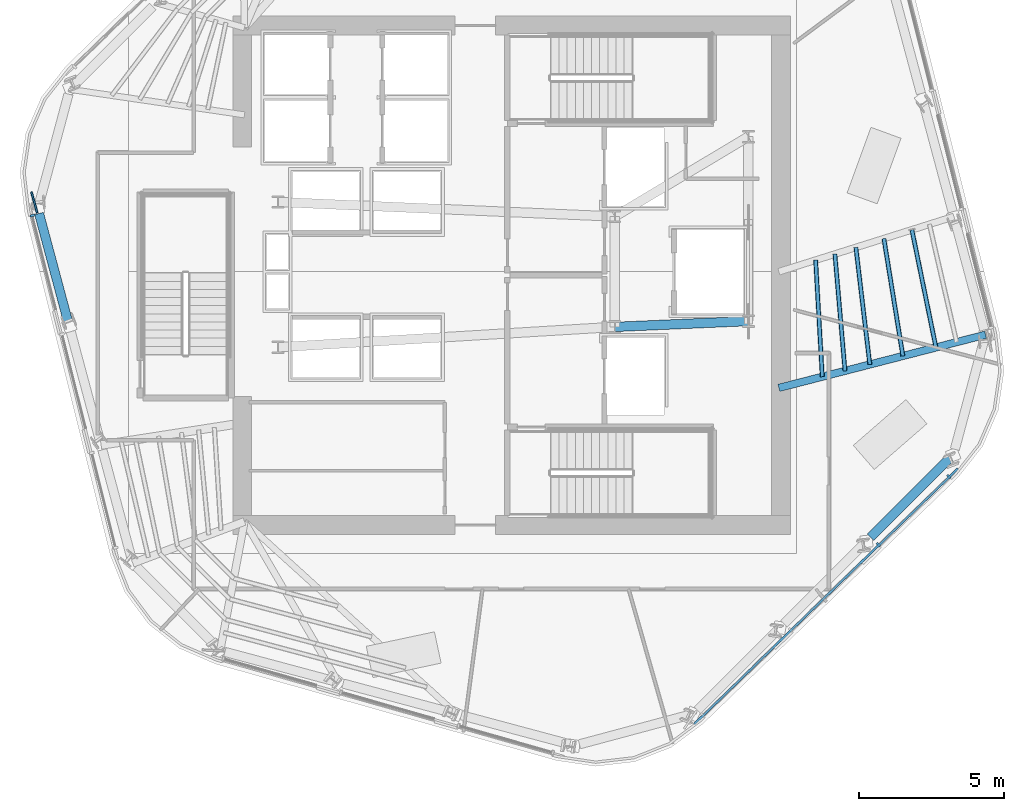
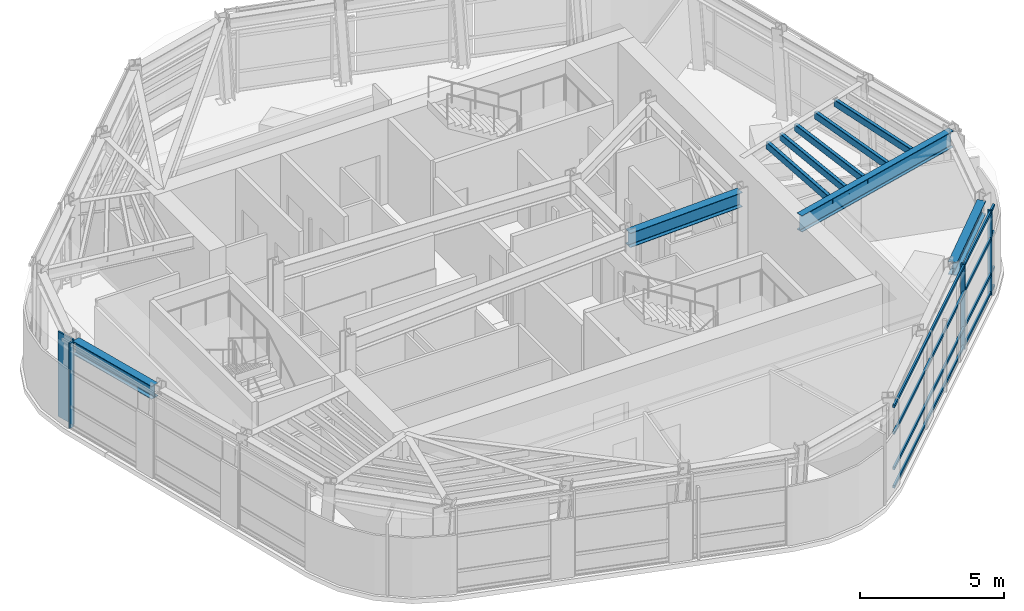
# One storey, part 3 of 14: 13 members, 4 beams, 2 elements without a shape of their own.
"""IFC4 building model written with IfcOpenShell, lengths in metres."""

from ifc_helpers import new_model, si_unit, direction, frame, origin, origin_2d, place, context, subcontext, project, spatial, rectangle, hollow_rectangle, i_section, extrude, material, layer, layer_set, material_profile, profile_set, type_object, element, aggregate, save


model = new_model("IFC4")

# Units and contexts
model_context = context("Model", 3, precision=1e-05, world=origin(), true_north=direction((0.0, 1.0)))
body_context = subcontext(model_context, "Body", "Model", "MODEL_VIEW")
ifc_project = project(units=[si_unit("LENGTHUNIT", "METRE"), si_unit("AREAUNIT", "SQUARE_METRE"), si_unit("VOLUMEUNIT", "CUBIC_METRE"), si_unit("PLANEANGLEUNIT", "RADIAN"), si_unit("MASSUNIT", "GRAM", prefix="KILO")], contexts=[model_context])

# Site, building, storey
site_placement = place(None, origin())
site = spatial("IfcSite", under=ifc_project, at=site_placement, CompositionType="ELEMENT")
building_placement = place(site_placement, origin())
building = spatial("IfcBuilding", under=site, at=building_placement, Name="Valkerne Bourse Tower", CompositionType="ELEMENT")
storey_placement = place(building_placement, frame((0.0, 0.0, 213.199951171875)))
storey = spatial("IfcBuildingStorey", under=building, at=storey_placement, Name="L54", CompositionType="ELEMENT", Elevation=213.199951171875)

# Beams
ifc_material_1 = material(Name="Steel ASTM A992", Category="steel")
ifc_material_profile_1 = material_profile(ifc_material_1, i_section(OverallWidth=0.31494140625, OverallDepth=0.5537109375, WebThickness=0.0166015625, FlangeThickness=0.026123046875, FilletRadius=0.020263671875, at=origin_2d()), Name="W21X132")
ifc_profile_set_1 = profile_set([ifc_material_profile_1], Name="Steel ASTM A992")
beam_type_1 = type_object("IfcBeamType", Name="BM-W21X132", PredefinedType="BEAM", material=ifc_profile_set_1)
beam_1_placement = place(storey_placement, frame((30.52783203125, 29.0048828125, 3.3232421875), z_axis=(0.258820125859, -0.965925536701, 0.0), x_axis=(0.965925536701, 0.258820125859, 0.0)))
element("IfcBeam", 1, at=beam_1_placement, inside=storey, type_object=beam_type_1, Name="L54 Hexagonal Spandrel Ring Beam 08", PredefinedType="BEAM", context=body_context, shape_type="SweptSolid", body=[
    extrude(i_section(OverallWidth=0.31494140625, OverallDepth=0.5537109375, WebThickness=0.0166015625, FlangeThickness=0.026123046875, FilletRadius=0.020263671875, at=origin_2d()), origin(), (0.0, 0.0, 1.0), 3.8720703125),
])
beam_2_placement = place(storey_placement, frame((59.156494140625, 17.8623046875, 3.3232421875), z_axis=(0.707106781187, 0.707106781187, 0.0), x_axis=(-0.707106781187, 0.707106781187, 0.0)))
element("IfcBeam", 2, at=beam_2_placement, inside=storey, type_object=beam_type_1, Name="L54 Hexagonal Spandrel Ring Beam 18", PredefinedType="BEAM", context=body_context, shape_type="SweptSolid", body=[
    extrude(i_section(OverallWidth=0.31494140625, OverallDepth=0.5537109375, WebThickness=0.0166015625, FlangeThickness=0.026123046875, FilletRadius=0.020263671875, at=origin_2d()), origin(), (0.0, 0.0, 1.0), 3.871826171875),
])
ifc_material_profile_2 = material_profile(ifc_material_1, i_section(OverallWidth=0.3251953125, OverallDepth=0.612060546875, WebThickness=0.0126953125, FlangeThickness=0.01904296875, FilletRadius=0.020263671875, at=origin_2d()), Name="W24X104")
ifc_profile_set_2 = profile_set([ifc_material_profile_2], Name="Steel ASTM A992")
beam_type_2 = type_object("IfcBeamType", Name="BM-W24X104", PredefinedType="BEAM", material=ifc_profile_set_2)
beam_3_placement = place(storey_placement, frame((50.35009765625, 25.10009765625, 3.2939453125), z_axis=(0.999056558506, 0.043428019819, 0.0), x_axis=(-0.043428019819, 0.999056558506, 0.0)))
element("IfcBeam", 3, at=beam_3_placement, inside=storey, type_object=beam_type_2, Name="L54 Core Frame Girder CG-SE", PredefinedType="BEAM", context=body_context, shape_type="SweptSolid", body=[
    extrude(i_section(OverallWidth=0.3251953125, OverallDepth=0.612060546875, WebThickness=0.0126953125, FlangeThickness=0.01904296875, FilletRadius=0.020263671875, at=origin_2d()), origin(), (0.0, 0.0, 1.0), 4.604248046875),
])
ifc_material_profile_3 = material_profile(ifc_material_1, i_section(OverallWidth=0.255859375, OverallDepth=0.693359375, WebThickness=0.014404296875, FlangeThickness=0.023681640625, FilletRadius=0.02294921875, at=origin_2d()), Name="W27X114")
ifc_profile_set_3 = profile_set([ifc_material_profile_3], Name="Steel ASTM A992")
beam_type_3 = type_object("IfcBeamType", Name="BM-W27X114", PredefinedType="BEAM", material=ifc_profile_set_3)
beam_4_placement = place(storey_placement, frame((63.1162109375, 24.8310546875, 3.25341796875), z_axis=(-0.968454454865, -0.249190627538, 0.0), x_axis=(0.249190627538, -0.968454454865, 0.0)))
element("IfcBeam", 4, at=beam_4_placement, inside=storey, type_object=beam_type_3, Name="L54 Radial Composite Floor Beam 20", PredefinedType="BEAM", context=body_context, shape_type="SweptSolid", body=[
    extrude(i_section(OverallWidth=0.255859375, OverallDepth=0.693359375, WebThickness=0.014404296875, FlangeThickness=0.023681640625, FilletRadius=0.02294921875, at=origin_2d()), origin(), (0.0, 0.0, 1.0), 7.347900390625),
])

# Curtain wall, member
ifc_material_2 = material(Name="Aluminium AA 6063-T6", Category="aluminium")
ifc_layer = layer(ifc_material_2, 0.239990234375)
ifc_layer_set = layer_set([ifc_layer], Name="Aluminium AA 6063-T6")
curtain_wall_type = type_object("IfcCurtainWallType", Name="CW-04", PredefinedType="NOTDEFINED", material=ifc_layer_set)
curtain_wall_1_placement = place(storey_placement, origin())
curtain_wall_1 = element("IfcCurtainWall", 5, at=curtain_wall_1_placement, inside=storey, type_object=curtain_wall_type, Name="L54 Hexagonal Stick Curtain Wall Face 3", PredefinedType="NOTDEFINED")
ifc_material_profile_4 = material_profile(ifc_material_2, rectangle(XDim=0.074951171875, YDim=0.159912109375, at=origin_2d()), Name="CWM-75X160")
ifc_profile_set_4 = profile_set([ifc_material_profile_4], Name="Aluminium AA 6063-T6")
member_type_1 = type_object("IfcMemberType", Name="CW-MUL-160X75", PredefinedType="MULLION", material=ifc_profile_set_4)
member_1_placement = place(storey_placement, frame((30.29248046875, 28.934814453125, 0.0), z_axis=(0.0, 0.0, 1.0), x_axis=(0.243613627949, -0.96987236288, 0.0)))
member_1 = element("IfcMember", 6, at=member_1_placement, type_object=member_type_1, Name="CW-L54-F3 Jamb Mullion 00A", PredefinedType="MULLION", context=body_context, shape_type="SweptSolid", body=[
    extrude(rectangle(XDim=0.074951171875, YDim=0.159912109375, at=origin_2d()), origin(), (0.0, 0.0, 1.0), 3.60009765625),
])
aggregate(curtain_wall_1, [member_1])

# Curtain wall, members
curtain_wall_2_placement = place(storey_placement, origin())
curtain_wall_2 = element("IfcCurtainWall", 7, at=curtain_wall_2_placement, inside=storey, type_object=curtain_wall_type, Name="L54 Hexagonal Stick Curtain Wall Face 5", PredefinedType="NOTDEFINED")
member_2_placement = place(storey_placement, frame((59.427490234375, 17.59912109375, 0.0), z_axis=(0.0, 0.0, 1.0), x_axis=(0.718118967108, 0.695920361161, 0.0)))
member_2 = element("IfcMember", 8, at=member_2_placement, type_object=member_type_1, Name="CW-L54-F5 Jamb Mullion 02A", PredefinedType="MULLION", context=body_context, shape_type="SweptSolid", body=[
    extrude(rectangle(XDim=0.074951171875, YDim=0.159912109375, at=origin_2d()), origin(), (0.0, 0.0, 1.0), 3.60009765625),
])
member_3_placement = place(storey_placement, frame((61.84912109375, 19.94580078125, 0.0), z_axis=(0.0, 0.0, 1.0), x_axis=(0.718118967108, 0.695920361161, 0.0)))
member_3 = element("IfcMember", 9, at=member_3_placement, type_object=member_type_1, Name="CW-L54-F5 Jamb Mullion 02B", PredefinedType="MULLION", context=body_context, shape_type="SweptSolid", body=[
    extrude(rectangle(XDim=0.074951171875, YDim=0.159912109375, at=origin_2d()), origin(), (0.0, 0.0, 1.0), 3.60009765625),
])
ifc_material_profile_5 = material_profile(ifc_material_2, rectangle(XDim=0.074951171875, YDim=0.1201171875, at=origin_2d()), Name="CWT-75X120")
ifc_profile_set_5 = profile_set([ifc_material_profile_5], Name="Aluminium AA 6063-T6")
member_type_2 = type_object("IfcMemberType", Name="CW-TRN-120X75", PredefinedType="USERDEFINED", material=ifc_profile_set_5)
member_4_placement = place(storey_placement, frame((53.09033203125, 11.43017578125, 0.1201171875), z_axis=(0.718129172895, 0.695909829674, 0.0), x_axis=(-0.695909829674, 0.718129172895, 0.0)))
member_4 = element("IfcMember", 10, at=member_4_placement, type_object=member_type_2, Name="CW-L54-F5 Continuous Face Transom 1", ObjectType="TRANSOM", PredefinedType="USERDEFINED", context=body_context, shape_type="SweptSolid", body=[
    extrude(rectangle(XDim=0.074951171875, YDim=0.1201171875, at=origin_2d()), origin(), (0.0, 0.0, 1.0), 12.635986328125),
])
member_5_placement = place(storey_placement, frame((53.09033203125, 11.43017578125, 0.900146484375), z_axis=(0.718129172895, 0.695909829674, 0.0), x_axis=(-0.695909829674, 0.718129172895, 0.0)))
member_5 = element("IfcMember", 11, at=member_5_placement, type_object=member_type_2, Name="CW-L54-F5 Continuous Face Transom 2", ObjectType="TRANSOM", PredefinedType="USERDEFINED", context=body_context, shape_type="SweptSolid", body=[
    extrude(rectangle(XDim=0.074951171875, YDim=0.1201171875, at=origin_2d()), origin(), (0.0, 0.0, 1.0), 12.635986328125),
])
member_6_placement = place(storey_placement, frame((53.09033203125, 11.43017578125, 2.400146484375), z_axis=(0.718129172895, 0.695909829674, 0.0), x_axis=(-0.695909829674, 0.718129172895, 0.0)))
member_6 = element("IfcMember", 12, at=member_6_placement, type_object=member_type_2, Name="CW-L54-F5 Continuous Face Transom 3", ObjectType="TRANSOM", PredefinedType="USERDEFINED", context=body_context, shape_type="SweptSolid", body=[
    extrude(rectangle(XDim=0.074951171875, YDim=0.1201171875, at=origin_2d()), origin(), (0.0, 0.0, 1.0), 12.635986328125),
])
member_7_placement = place(storey_placement, frame((53.09033203125, 11.43017578125, 3.52001953125), z_axis=(0.718129172895, 0.695909829674, 0.0), x_axis=(-0.695909829674, 0.718129172895, 0.0)))
member_7 = element("IfcMember", 13, at=member_7_placement, type_object=member_type_2, Name="CW-L54-F5 Continuous Face Transom 4", ObjectType="TRANSOM", PredefinedType="USERDEFINED", context=body_context, shape_type="SweptSolid", body=[
    extrude(rectangle(XDim=0.074951171875, YDim=0.1201171875, at=origin_2d()), origin(), (0.0, 0.0, 1.0), 12.635986328125),
])
aggregate(curtain_wall_2, [member_4, member_5, member_6, member_7, member_2, member_3])

# Members
ifc_material_3 = material(Name="Bronze Anodised Aluminium AA 6063-T6", Category="aluminium")
ifc_material_profile_6 = material_profile(ifc_material_3, rectangle(XDim=0.06494140625, YDim=0.75, at=origin_2d()), Name="FIN-65X750")
ifc_profile_set_6 = profile_set([ifc_material_profile_6], Name="Bronze Anodised Aluminium AA 6063-T6")
member_type_3 = type_object("IfcMemberType", Name="FIN-SOLAR-650", PredefinedType="USERDEFINED", material=ifc_profile_set_6)
member_8_placement = place(storey_placement, frame((30.36474609375, 29.385986328125, 0.004150390625), z_axis=(0.0, 0.0, 1.0), x_axis=(-0.964352561244, -0.264620742992, 0.0)))
element("IfcMember", 14, at=member_8_placement, inside=storey, type_object=member_type_3, Name="L54 Bronze Anodised Solar Fin F3-00", ObjectType="SOLAR_FIN", PredefinedType="USERDEFINED", context=body_context, shape_type="SweptSolid", body=[
    extrude(rectangle(XDim=0.06494140625, YDim=0.75, at=origin_2d()), origin(), (0.0, 0.0, 1.0), 3.591796875),
])
ifc_material_4 = material(Name="Steel ASTM A500 Grade C", Category="steel")
ifc_material_profile_7 = material_profile(ifc_material_4, hollow_rectangle(XDim=0.14990234375, YDim=0.300048828125, WallThickness=0.012451171875, OuterFilletRadius=0.02490234375, at=origin_2d()), Name="HSS300X150X12.5")
ifc_profile_set_7 = profile_set([ifc_material_profile_7], Name="Steel ASTM A500 Grade C")
member_type_4 = type_object("IfcMemberType", Name="MBR-HSS300X150X12.5", PredefinedType="PURLIN", material=ifc_profile_set_7)
member_9_placement = place(storey_placement, frame((58.277099609375, 23.5859375, 3.43994140625), z_axis=(-0.086418236885, 0.996258946426, 0.0), x_axis=(-0.996258946426, -0.086418236885, 0.0)))
element("IfcMember", 15, at=member_9_placement, inside=storey, type_object=member_type_4, Name="L54 Secondary Composite Floor Purlin I-20", PredefinedType="PURLIN", context=body_context, shape_type="SweptSolid", body=[
    extrude(hollow_rectangle(XDim=0.14990234375, YDim=0.300048828125, WallThickness=0.012451171875, OuterFilletRadius=0.02490234375, at=origin_2d()), origin(), (0.0, 0.0, 1.0), 4.037109375),
])
member_10_placement = place(storey_placement, frame((59.131103515625, 23.8056640625, 3.43994140625), z_axis=(-0.118205828472, 0.992989114802, 0.0), x_axis=(-0.992989114802, -0.118205828472, 0.0)))
element("IfcMember", 16, at=member_10_placement, inside=storey, type_object=member_type_4, Name="L54 Secondary Composite Floor Purlin K-20", PredefinedType="PURLIN", context=body_context, shape_type="SweptSolid", body=[
    extrude(hollow_rectangle(XDim=0.14990234375, YDim=0.300048828125, WallThickness=0.012451171875, OuterFilletRadius=0.02490234375, at=origin_2d()), origin(), (0.0, 0.0, 1.0), 4.05859375),
])
member_11_placement = place(storey_placement, frame((61.408203125, 24.3916015625, 3.43994140625), z_axis=(-0.200348590295, 0.979724676818, 0.0), x_axis=(-0.979724676818, -0.200348590295, 0.0)))
element("IfcMember", 17, at=member_11_placement, inside=storey, type_object=member_type_4, Name="L54 Secondary Composite Floor Purlin O-20", PredefinedType="PURLIN", context=body_context, shape_type="SweptSolid", body=[
    extrude(hollow_rectangle(XDim=0.14990234375, YDim=0.300048828125, WallThickness=0.012451171875, OuterFilletRadius=0.02490234375, at=origin_2d()), origin(), (0.0, 0.0, 1.0), 4.1357421875),
])
member_12_placement = place(storey_placement, frame((60.269775390625, 24.0986328125, 3.43994140625), z_axis=(-0.159832428219, 0.987144161149, 0.0), x_axis=(-0.987144161149, -0.159832428219, 0.0)))
element("IfcMember", 18, at=member_12_placement, inside=storey, type_object=member_type_4, Name="L54 Secondary Composite Floor Purlin Z-20", PredefinedType="PURLIN", context=body_context, shape_type="SweptSolid", body=[
    extrude(hollow_rectangle(XDim=0.14990234375, YDim=0.300048828125, WallThickness=0.012451171875, OuterFilletRadius=0.02490234375, at=origin_2d()), origin(), (0.0, 0.0, 1.0), 4.09375),
])
member_13_placement = place(storey_placement, frame((57.494384765625, 23.384521484375, 3.43994140625), z_axis=(-0.056952958552, 0.998376862969, 0.0), x_axis=(-0.998376862969, -0.056952958552, 0.0)))
element("IfcMember", 19, at=member_13_placement, inside=storey, type_object=member_type_4, Name="L54 Secondary Composite Floor Purlin S-20", PredefinedType="PURLIN", context=body_context, shape_type="SweptSolid", body=[
    extrude(hollow_rectangle(XDim=0.14990234375, YDim=0.300048828125, WallThickness=0.012451171875, OuterFilletRadius=0.02490234375, at=origin_2d()), origin(), (0.0, 0.0, 1.0), 4.02099609375),
])

save(model, "model.ifc")
